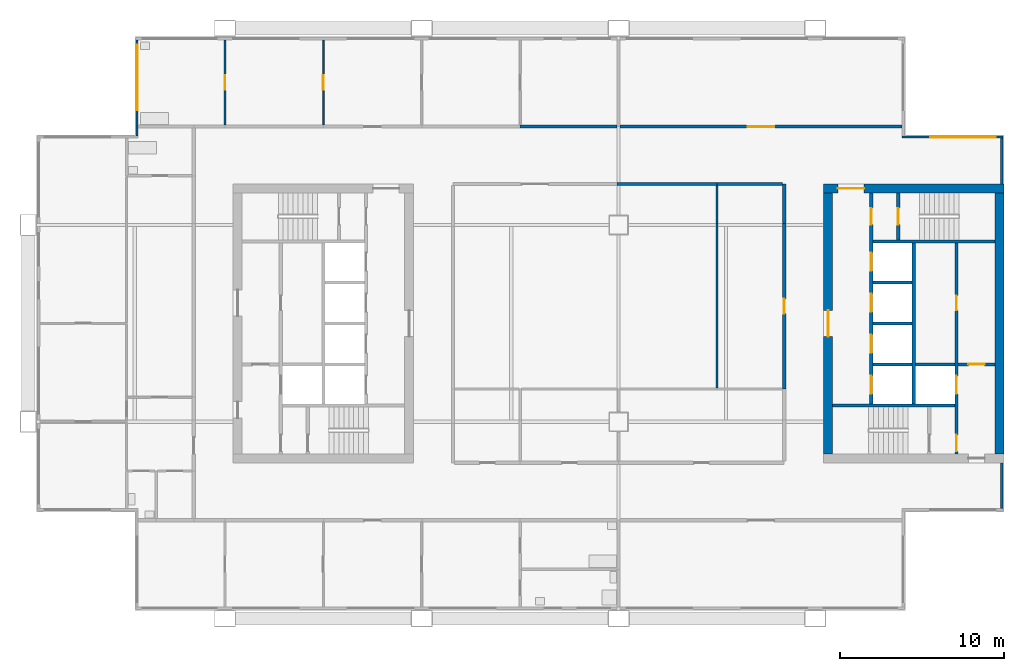
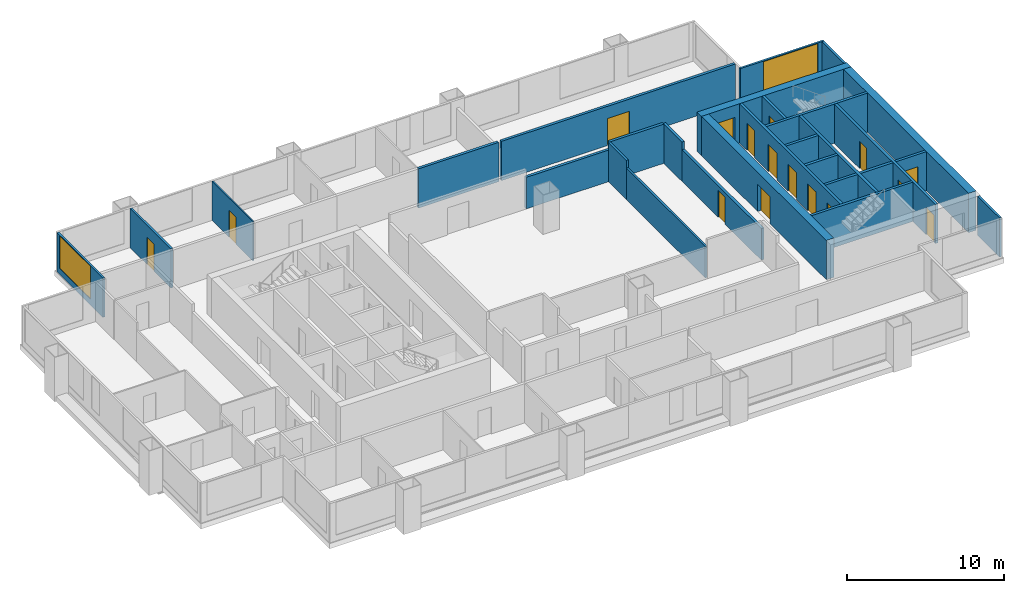
# One storey, part 5 of 8: 28 walls, 16 doors, 2 windows, 18 openings.
"""IFC4 building model written with IfcOpenShell, lengths in metres."""

from ifc_helpers import new_model, si_unit, direction, frame, frame_2d, origin, place, context, subcontext, project, spatial, rectangle, extrude, material, layer, layer_set, type_object, element, fill, save


model = new_model("IFC4")

# Units and contexts
model_context = context("Model", 3, precision=1e-05, world=origin(), true_north=direction((0.0, 1.0)))
body_context = subcontext(model_context, "Body", "Model", "MODEL_VIEW")
ifc_project = project(units=[si_unit("LENGTHUNIT", "METRE"), si_unit("AREAUNIT", "SQUARE_METRE"), si_unit("VOLUMEUNIT", "CUBIC_METRE"), si_unit("PLANEANGLEUNIT", "RADIAN"), si_unit("MASSUNIT", "GRAM", prefix="KILO")], contexts=[model_context])

# Site, building, storey
site_placement = place(None, origin())
site = spatial("IfcSite", under=ifc_project, at=site_placement, CompositionType="ELEMENT")
building_placement = place(site_placement, origin())
building = spatial("IfcBuilding", under=site, at=building_placement, Name="Kitamizu Gate Tower and Museum", CompositionType="ELEMENT")
storey_placement = place(building_placement, frame((0.0, 0.0, 165.14990234375)))
storey = spatial("IfcBuildingStorey", under=building, at=storey_placement, Name="L43", CompositionType="ELEMENT", Elevation=165.14990234375)

# Wall, opening, door
ifc_material_1 = material(Name="Concrete Fc42", Category="concrete")
ifc_layer_1 = layer(ifc_material_1, 0.550048828125)
ifc_layer_set_1 = layer_set([ifc_layer_1], Name="Concrete Fc42")
wall_type_1 = type_object("IfcWallType", Name="Core wall 550", PredefinedType="SHEAR", material=ifc_layer_set_1)
wall_1_placement = place(storey_placement, frame((59.5, 38.22509765625, 0.0), z_axis=(0.0, 0.0, 1.0), x_axis=(-1.0, 0.0, 0.0)))
wall_1 = element("IfcWall", 1, at=wall_1_placement, inside=storey, type_object=wall_type_1, Name="Core wall EN", PredefinedType="SHEAR", context=body_context, shape_type="SweptSolid", body=[
    extrude(rectangle(XDim=11.0, YDim=0.550048828125, at=frame_2d((5.5, 0.0))), origin(), (0.0, 0.0, 1.0), 3.050048828125),
])
opening_1_placement = place(wall_1_placement, frame((8.52490234375, 0.0, 0.0)))
opening_1 = element("IfcOpeningElement", 2, at=opening_1_placement, cuts=wall_1, Name="Opening L43-043", PredefinedType="OPENING", context=body_context, shape_type="SweptSolid", body=[
    extrude(rectangle(XDim=1.60009765625, YDim=2.10009765625, at=frame_2d((0.800048828125, 1.050048828125))), frame((0.0, 0.28515625, 0.0), z_axis=(0.0, -1.0, 0.0), x_axis=(1.0, 0.0, 0.0)), (0.0, 0.0, 1.0), 0.570068359375),
])
ifc_material_2 = material(Name="Timber door set", Category="wood")
door_type_1 = type_object("IfcDoorType", Name="Entrance door 1600", OperationType="DOUBLE_DOOR_SINGLE_SWING", PredefinedType="DOOR", material=ifc_material_2)
door_1_placement = place(opening_1_placement, origin())
door_1 = element("IfcDoor", 3, at=door_1_placement, inside=storey, type_object=door_type_1, Name="Lobby door L43-043", OperationType="DOUBLE_DOOR_SINGLE_SWING", OverallHeight=2.10009765625, OverallWidth=1.60009765625, PredefinedType="DOOR", context=body_context, shape_type="SweptSolid", body=[
    extrude(rectangle(XDim=1.60009765625, YDim=2.10009765625, at=frame_2d((0.800048828125, 1.050048828125))), frame((0.0, 0.02490234375, 0.0), z_axis=(0.0, -1.0, 0.0), x_axis=(1.0, 0.0, 0.0)), (0.0, 0.0, 1.0), 0.050048828125),
])
fill(opening_1, door_1)

# Wall
wall_2_placement = place(storey_placement, frame((59.22509765625, 22.050048828125, 0.0), z_axis=(0.0, 0.0, 1.0), x_axis=(0.0, 1.0, 0.0)))
element("IfcWall", 4, at=wall_2_placement, inside=storey, type_object=wall_type_1, Name="Core wall EOUT", PredefinedType="SHEAR", context=body_context, shape_type="SweptSolid", body=[
    extrude(rectangle(XDim=15.89990234375, YDim=0.550048828125, at=frame_2d((7.949951171875, 0.0))), origin(), (0.0, 0.0, 1.0), 3.050048828125),
])

# Wall, opening, door
wall_3_placement = place(storey_placement, frame((48.77490234375, 22.050048828125, 0.0), z_axis=(0.0, 0.0, 1.0), x_axis=(0.0, 1.0, 0.0)))
wall_3 = element("IfcWall", 5, at=wall_3_placement, inside=storey, type_object=wall_type_1, Name="Core wall EARC", PredefinedType="SHEAR", context=body_context, shape_type="SweptSolid", body=[
    extrude(rectangle(XDim=15.89990234375, YDim=0.550048828125, at=frame_2d((7.949951171875, 0.0))), origin(), (0.0, 0.0, 1.0), 3.050048828125),
])
opening_2_placement = place(wall_3_placement, frame((7.14990234375, 0.0, 0.0)))
opening_2 = element("IfcOpeningElement", 6, at=opening_2_placement, cuts=wall_3, Name="Opening L43-044", PredefinedType="OPENING", context=body_context, shape_type="SweptSolid", body=[
    extrude(rectangle(XDim=1.60009765625, YDim=2.10009765625, at=frame_2d((0.800048828125, 1.050048828125))), frame((0.0, 0.28515625, 0.0), z_axis=(0.0, -1.0, 0.0), x_axis=(1.0, 0.0, 0.0)), (0.0, 0.0, 1.0), 0.570068359375),
])
door_2_placement = place(opening_2_placement, origin())
door_2 = element("IfcDoor", 7, at=door_2_placement, inside=storey, type_object=door_type_1, Name="Lobby door L43-044", OperationType="DOUBLE_DOOR_SINGLE_SWING", OverallHeight=2.10009765625, OverallWidth=1.60009765625, PredefinedType="DOOR", context=body_context, shape_type="SweptSolid", body=[
    extrude(rectangle(XDim=1.60009765625, YDim=2.10009765625, at=frame_2d((0.800048828125, 1.050048828125))), frame((0.0, 0.02490234375, 0.0), z_axis=(0.0, -1.0, 0.0), x_axis=(1.0, 0.0, 0.0)), (0.0, 0.0, 1.0), 0.050048828125),
])
fill(opening_2, door_2)

ifc_material_3 = material(Name="Gypsum board on galvanised stud")
ifc_layer_2 = layer(ifc_material_3, 0.10009765625)
ifc_layer_set_2 = layer_set([ifc_layer_2], Name="Gypsum board on galvanised stud")
wall_type_2 = type_object("IfcWallType", Name="Partition 100 NOT RATED", PredefinedType="PARTITIONING", material=ifc_layer_set_2)
wall_4_placement = place(storey_placement, frame((18.0, 42.10009765625, 0.0), z_axis=(0.0, 0.0, 1.0), x_axis=(0.0, 1.0, 0.0)))
wall_4 = element("IfcWall", 8, at=wall_4_placement, inside=storey, type_object=wall_type_2, Name="Partition L43-019", PredefinedType="PARTITIONING", context=body_context, shape_type="SweptSolid", body=[
    extrude(rectangle(XDim=5.179931640625, YDim=0.10009765625, at=frame_2d((2.58984375, 0.0))), origin(), (0.0, 0.0, 1.0), 3.050048828125),
])
opening_3_placement = place(wall_4_placement, frame((2.139892578125, 0.0, 0.0)))
opening_3 = element("IfcOpeningElement", 9, at=opening_3_placement, cuts=wall_4, Name="Opening L43-008", PredefinedType="OPENING", context=body_context, shape_type="SweptSolid", body=[
    extrude(rectangle(XDim=0.89990234375, YDim=2.10009765625, at=frame_2d((0.449951171875, 1.050048828125))), frame((0.0, 0.06005859375, 0.0), z_axis=(0.0, -1.0, 0.0), x_axis=(1.0, 0.0, 0.0)), (0.0, 0.0, 1.0), 0.1201171875),
])
ifc_material_4 = material(Name="Timber door set", Category="wood")
door_type_2 = type_object("IfcDoorType", Name="Room door 900", OperationType="NOTDEFINED", PredefinedType="DOOR", material=ifc_material_4)
door_3_placement = place(opening_3_placement, origin())
door_3 = element("IfcDoor", 10, at=door_3_placement, inside=storey, type_object=door_type_2, Name="Door L43-008", OperationType="SINGLE_SWING_LEFT", OverallHeight=2.10009765625, OverallWidth=0.89990234375, PredefinedType="DOOR", context=body_context, shape_type="SweptSolid", body=[
    extrude(rectangle(XDim=0.89990234375, YDim=2.10009765625, at=frame_2d((0.449951171875, 1.050048828125))), frame((0.0, 0.02490234375, 0.0), z_axis=(0.0, -1.0, 0.0), x_axis=(1.0, 0.0, 0.0)), (0.0, 0.0, 1.0), 0.050048828125),
])
fill(opening_3, door_3)

ifc_material_5 = material(Name="Gypsum board on galvanised stud")
ifc_layer_3 = layer(ifc_material_5, 0.14990234375)
ifc_layer_set_3 = layer_set([ifc_layer_3], Name="Gypsum board on galvanised stud")
wall_type_3 = type_object("IfcWallType", Name="Partition 150", PredefinedType="PARTITIONING", material=ifc_layer_set_3)
wall_5_placement = place(storey_placement, frame((12.0, 42.10009765625, 0.0), z_axis=(0.0, 0.0, 1.0), x_axis=(0.0, 1.0, 0.0)))
wall_5 = element("IfcWall", 11, at=wall_5_placement, inside=storey, type_object=wall_type_3, Name="Partition L43-016", PredefinedType="PARTITIONING", context=body_context, shape_type="SweptSolid", body=[
    extrude(rectangle(XDim=5.179931640625, YDim=0.14990234375, at=frame_2d((2.58984375, 0.0))), origin(), (0.0, 0.0, 1.0), 3.050048828125),
])
opening_4_placement = place(wall_5_placement, frame((2.139892578125, 0.0, 0.0)))
opening_4 = element("IfcOpeningElement", 12, at=opening_4_placement, cuts=wall_5, Name="Opening L43-009", PredefinedType="OPENING", context=body_context, shape_type="SweptSolid", body=[
    extrude(rectangle(XDim=0.89990234375, YDim=2.10009765625, at=frame_2d((0.449951171875, 1.050048828125))), frame((0.0, 0.0849609375, 0.0), z_axis=(0.0, -1.0, 0.0), x_axis=(1.0, 0.0, 0.0)), (0.0, 0.0, 1.0), 0.169921875),
])
ifc_material_6 = material(Name="Timber door set", Category="wood")
door_type_3 = type_object("IfcDoorType", Name="Bathroom door 900", OperationType="NOTDEFINED", PredefinedType="DOOR", material=ifc_material_6)
door_4_placement = place(opening_4_placement, origin())
door_4 = element("IfcDoor", 13, at=door_4_placement, inside=storey, type_object=door_type_3, Name="Bathroom door L43-009", OperationType="SINGLE_SWING_RIGHT", OverallHeight=2.10009765625, OverallWidth=0.89990234375, PredefinedType="DOOR", context=body_context, shape_type="SweptSolid", body=[
    extrude(rectangle(XDim=0.89990234375, YDim=2.10009765625, at=frame_2d((0.449951171875, 1.050048828125))), frame((0.0, 0.02490234375, 0.0), z_axis=(0.0, -1.0, 0.0), x_axis=(1.0, 0.0, 0.0)), (0.0, 0.0, 1.0), 0.050048828125),
])
fill(opening_4, door_4)

# Walls
wall_6_placement = place(storey_placement, frame((42.0, 26.074951171875, 0.0), z_axis=(0.0, 0.0, 1.0), x_axis=(0.0, 1.0, 0.0)))
element("IfcWall", 14, at=wall_6_placement, inside=storey, type_object=wall_type_3, Name="Partition L43-071", PredefinedType="PARTITIONING", context=body_context, shape_type="SweptSolid", body=[
    extrude(rectangle(XDim=10.025146484375, YDim=0.14990234375, at=frame_2d((5.0126953125, 0.0))), origin(), (0.0, 0.0, 1.0), 2.4501953125),
])
wall_7_placement = place(storey_placement, frame((42.0, 36.10009765625, 0.0), z_axis=(0.0, 0.0, 1.0), x_axis=(0.0, 1.0, 0.0)))
element("IfcWall", 15, at=wall_7_placement, inside=storey, type_object=wall_type_3, Name="Partition L43-072", PredefinedType="PARTITIONING", context=body_context, shape_type="SweptSolid", body=[
    extrude(rectangle(XDim=2.2998046875, YDim=0.14990234375, at=frame_2d((1.14990234375, 0.0))), origin(), (0.0, 0.0, 1.0), 3.050048828125),
])
ifc_material_7 = material(Name="Gypsum board on galvanised stud")
ifc_layer_4 = layer(ifc_material_7, 0.199951171875)
ifc_layer_set_4 = layer_set([ifc_layer_4], Name="Gypsum board on galvanised stud")
wall_type_4 = type_object("IfcWallType", Name="Partition 200", PredefinedType="PARTITIONING", material=ifc_layer_set_4)
wall_8_placement = place(storey_placement, frame((30.0, 42.0, 0.0), z_axis=(0.0, 0.0, 1.0), x_axis=(1.0, 0.0, 0.0)))
element("IfcWall", 16, at=wall_8_placement, inside=storey, type_object=wall_type_4, Name="Partition L43-026", PredefinedType="PARTITIONING", context=body_context, shape_type="SweptSolid", body=[
    extrude(rectangle(XDim=5.89990234375, YDim=0.199951171875, at=frame_2d((2.949951171875, 0.0))), origin(), (0.0, 0.0, 1.0), 3.050048828125),
])

# Wall, opening, door
wall_9_placement = place(storey_placement, frame((36.10009765625, 42.0, 0.0), z_axis=(0.0, 0.0, 1.0), x_axis=(1.0, 0.0, 0.0)))
wall_9 = element("IfcWall", 17, at=wall_9_placement, inside=storey, type_object=wall_type_4, Name="Partition L43-048", PredefinedType="PARTITIONING", context=body_context, shape_type="SweptSolid", body=[
    extrude(rectangle(XDim=17.179931640625, YDim=0.199951171875, at=frame_2d((8.58984375, 0.0))), origin(), (0.0, 0.0, 1.0), 3.050048828125),
])
opening_5_placement = place(wall_9_placement, frame((7.7900390625, 0.0, 0.0)))
opening_5 = element("IfcOpeningElement", 18, at=opening_5_placement, cuts=wall_9, Name="Opening L43-021", PredefinedType="OPENING", context=body_context, shape_type="SweptSolid", body=[
    extrude(rectangle(XDim=1.60009765625, YDim=2.10009765625, at=frame_2d((0.800048828125, 1.050048828125))), frame((0.0, 0.10986328125, 0.0), z_axis=(0.0, -1.0, 0.0), x_axis=(1.0, 0.0, 0.0)), (0.0, 0.0, 1.0), 0.219970703125),
])
ifc_material_8 = material(Name="Timber door set", Category="wood")
door_type_4 = type_object("IfcDoorType", Name="Double door 1600", OperationType="DOUBLE_DOOR_SINGLE_SWING", PredefinedType="DOOR", material=ifc_material_8)
door_5_placement = place(opening_5_placement, origin())
door_5 = element("IfcDoor", 19, at=door_5_placement, inside=storey, type_object=door_type_4, Name="Double door L43-021", OperationType="DOUBLE_DOOR_SINGLE_SWING", OverallHeight=2.10009765625, OverallWidth=1.60009765625, PredefinedType="DOOR", context=body_context, shape_type="SweptSolid", body=[
    extrude(rectangle(XDim=1.60009765625, YDim=2.10009765625, at=frame_2d((0.800048828125, 1.050048828125))), frame((0.0, 0.02490234375, 0.0), z_axis=(0.0, -1.0, 0.0), x_axis=(1.0, 0.0, 0.0)), (0.0, 0.0, 1.0), 0.050048828125),
])
fill(opening_5, door_5)

# Wall
wall_10_placement = place(storey_placement, frame((42.0, 38.5, 0.0), z_axis=(0.0, 0.0, 1.0), x_axis=(-1.0, 0.0, 0.0)))
element("IfcWall", 20, at=wall_10_placement, inside=storey, type_object=wall_type_4, Name="Partition L43-056", PredefinedType="PARTITIONING", context=body_context, shape_type="SweptSolid", body=[
    extrude(rectangle(XDim=6.10009765625, YDim=0.199951171875, at=frame_2d((3.050048828125, 0.0))), origin(), (0.0, 0.0, 1.0), 2.4501953125),
])

# Wall, opening, door
wall_11_placement = place(storey_placement, frame((46.10009765625, 26.0, 0.0), z_axis=(0.0, 0.0, 1.0), x_axis=(0.0, 1.0, 0.0)))
wall_11 = element("IfcWall", 21, at=wall_11_placement, inside=storey, type_object=wall_type_4, Name="Partition L43-060", PredefinedType="PARTITIONING", context=body_context, shape_type="SweptSolid", body=[
    extrude(rectangle(XDim=10.10009765625, YDim=0.199951171875, at=frame_2d((5.050048828125, 0.0))), origin(), (0.0, 0.0, 1.0), 2.4501953125),
])
opening_6_placement = place(wall_11_placement, frame((4.60009765625, 0.0, 0.0)))
opening_6 = element("IfcOpeningElement", 22, at=opening_6_placement, cuts=wall_11, Name="Opening L43-026", PredefinedType="OPENING", context=body_context, shape_type="SweptSolid", body=[
    extrude(rectangle(XDim=0.89990234375, YDim=2.10009765625, at=frame_2d((0.449951171875, 1.050048828125))), frame((0.0, 0.10986328125, 0.0), z_axis=(0.0, -1.0, 0.0), x_axis=(1.0, 0.0, 0.0)), (0.0, 0.0, 1.0), 0.219970703125),
])
door_6_placement = place(opening_6_placement, origin())
door_6 = element("IfcDoor", 23, at=door_6_placement, inside=storey, type_object=door_type_2, Name="Door L43-026", OperationType="SINGLE_SWING_RIGHT", OverallHeight=2.10009765625, OverallWidth=0.89990234375, PredefinedType="DOOR", context=body_context, shape_type="SweptSolid", body=[
    extrude(rectangle(XDim=0.89990234375, YDim=2.10009765625, at=frame_2d((0.449951171875, 1.050048828125))), frame((0.0, 0.02490234375, 0.0), z_axis=(0.0, -1.0, 0.0), x_axis=(1.0, 0.0, 0.0)), (0.0, 0.0, 1.0), 0.050048828125),
])
fill(opening_6, door_6)

# Walls
wall_12_placement = place(storey_placement, frame((46.10009765625, 36.10009765625, 0.0), z_axis=(0.0, 0.0, 1.0), x_axis=(0.0, 1.0, 0.0)))
element("IfcWall", 24, at=wall_12_placement, inside=storey, type_object=wall_type_4, Name="Partition L43-061", PredefinedType="PARTITIONING", context=body_context, shape_type="SweptSolid", body=[
    extrude(rectangle(XDim=2.39990234375, YDim=0.199951171875, at=frame_2d((1.199951171875, 0.0))), origin(), (0.0, 0.0, 1.0), 3.050048828125),
])
wall_13_placement = place(storey_placement, frame((46.0, 38.5, 0.0), z_axis=(0.0, 0.0, 1.0), x_axis=(-1.0, 0.0, 0.0)))
element("IfcWall", 25, at=wall_13_placement, inside=storey, type_object=wall_type_4, Name="Partition L43-062", PredefinedType="PARTITIONING", context=body_context, shape_type="SweptSolid", body=[
    extrude(rectangle(XDim=4.0, YDim=0.199951171875, at=frame_2d((2.0, 0.0))), origin(), (0.0, 0.0, 1.0), 3.050048828125),
])

# Wall, openings, doors
ifc_material_9 = material(Name="Concrete Fc42", Category="concrete")
ifc_layer_5 = layer(ifc_material_9, 0.199951171875)
ifc_layer_set_5 = layer_set([ifc_layer_5], Name="Concrete Fc42")
wall_type_5 = type_object("IfcWallType", Name="Shaft wall 200", PredefinedType="SOLIDWALL", material=ifc_layer_set_5)
wall_14_placement = place(storey_placement, frame((56.60009765625, 22.050048828125, 0.0), z_axis=(0.0, 0.0, 1.0), x_axis=(0.0, 1.0, 0.0)))
wall_14 = element("IfcWall", 26, at=wall_14_placement, inside=storey, type_object=wall_type_5, Name="Shaft wall EWEST", PredefinedType="SOLIDWALL", context=body_context, shape_type="SweptSolid", body=[
    extrude(rectangle(XDim=12.849853515625, YDim=0.199951171875, at=frame_2d((6.4248046875, 0.0))), origin(), (0.0, 0.0, 1.0), 3.050048828125),
])
opening_7_placement = place(wall_14_placement, frame((3.64990234375, 0.0, 0.0)))
opening_7 = element("IfcOpeningElement", 27, at=opening_7_placement, cuts=wall_14, Name="Opening LD", PredefinedType="OPENING", context=body_context, shape_type="SweptSolid", body=[
    extrude(rectangle(XDim=1.10009765625, YDim=2.10009765625, at=frame_2d((0.550048828125, 1.050048828125))), frame((0.0, 0.10986328125, 0.0), z_axis=(0.0, -1.0, 0.0), x_axis=(1.0, 0.0, 0.0)), (0.0, 0.0, 1.0), 0.219970703125),
])
opening_8_placement = place(wall_14_placement, frame((0.14990234375, 0.0, 0.0)))
opening_8 = element("IfcOpeningElement", 28, at=opening_8_placement, cuts=wall_14, Name="Opening L43-038", PredefinedType="OPENING", context=body_context, shape_type="SweptSolid", body=[
    extrude(rectangle(XDim=1.0, YDim=2.10009765625, at=frame_2d((0.5, 1.050048828125))), frame((0.0, 0.10986328125, 0.0), z_axis=(0.0, -1.0, 0.0), x_axis=(1.0, 0.0, 0.0)), (0.0, 0.0, 1.0), 0.219970703125),
])
opening_9_placement = place(wall_14_placement, frame((8.75, 0.0, 0.0)))
opening_9 = element("IfcOpeningElement", 29, at=opening_9_placement, cuts=wall_14, Name="Opening L43-045", PredefinedType="OPENING", context=body_context, shape_type="SweptSolid", body=[
    extrude(rectangle(XDim=0.89990234375, YDim=2.10009765625, at=frame_2d((0.449951171875, 1.050048828125))), frame((0.0, 0.10986328125, 0.0), z_axis=(0.0, -1.0, 0.0), x_axis=(1.0, 0.0, 0.0)), (0.0, 0.0, 1.0), 0.219970703125),
])
ifc_material_10 = material(Name="Hollow metal door set")
door_type_5 = type_object("IfcDoorType", Name="Fire door 1000", OperationType="NOTDEFINED", PredefinedType="DOOR", material=ifc_material_10)
door_7_placement = place(opening_8_placement, origin())
door_7 = element("IfcDoor", 30, at=door_7_placement, inside=storey, type_object=door_type_5, Name="Stair lobby door L43-038", OperationType="SINGLE_SWING_RIGHT", OverallHeight=2.10009765625, OverallWidth=1.0, PredefinedType="DOOR", context=body_context, shape_type="SweptSolid", body=[
    extrude(rectangle(XDim=1.0, YDim=2.10009765625, at=frame_2d((0.5, 1.050048828125))), frame((0.0, 0.02490234375, 0.0), z_axis=(0.0, -1.0, 0.0), x_axis=(1.0, 0.0, 0.0)), (0.0, 0.0, 1.0), 0.050048828125),
])
fill(opening_8, door_7)
ifc_material_11 = material(Name="Hollow metal door set")
door_type_6 = type_object("IfcDoorType", Name="Landing door 1100", OperationType="SLIDING_TO_LEFT", PredefinedType="DOOR", material=ifc_material_11)
door_8_placement = place(opening_7_placement, origin())
door_8 = element("IfcDoor", 31, at=door_8_placement, inside=storey, type_object=door_type_6, Name="Landing door EFF1", OperationType="SLIDING_TO_LEFT", OverallHeight=2.10009765625, OverallWidth=1.10009765625, PredefinedType="DOOR", context=body_context, shape_type="SweptSolid", body=[
    extrude(rectangle(XDim=1.10009765625, YDim=2.10009765625, at=frame_2d((0.550048828125, 1.050048828125))), frame((0.0, 0.02490234375, 0.0), z_axis=(0.0, -1.0, 0.0), x_axis=(1.0, 0.0, 0.0)), (0.0, 0.0, 1.0), 0.050048828125),
])
fill(opening_7, door_8)
ifc_material_12 = material(Name="Timber door set", Category="wood")
door_type_7 = type_object("IfcDoorType", Name="Service door 900", OperationType="NOTDEFINED", PredefinedType="DOOR", material=ifc_material_12)
door_9_placement = place(opening_9_placement, origin())
door_9 = element("IfcDoor", 32, at=door_9_placement, inside=storey, type_object=door_type_7, Name="Service door L43-045", OperationType="SINGLE_SWING_RIGHT", OverallHeight=2.10009765625, OverallWidth=0.89990234375, PredefinedType="DOOR", context=body_context, shape_type="SweptSolid", body=[
    extrude(rectangle(XDim=0.89990234375, YDim=2.10009765625, at=frame_2d((0.449951171875, 1.050048828125))), frame((0.0, 0.02490234375, 0.0), z_axis=(0.0, -1.0, 0.0), x_axis=(1.0, 0.0, 0.0)), (0.0, 0.0, 1.0), 0.050048828125),
])
fill(opening_9, door_9)

wall_15_placement = place(storey_placement, frame((51.39990234375, 25.10009765625, 0.0), z_axis=(0.0, 0.0, 1.0), x_axis=(0.0, 1.0, 0.0)))
wall_15 = element("IfcWall", 33, at=wall_15_placement, inside=storey, type_object=wall_type_5, Name="Shaft wall EEAST", PredefinedType="SOLIDWALL", context=body_context, shape_type="SweptSolid", body=[
    extrude(rectangle(XDim=12.849853515625, YDim=0.199951171875, at=frame_2d((6.4248046875, 0.0))), origin(), (0.0, 0.0, 1.0), 3.050048828125),
])
opening_10_placement = place(wall_15_placement, frame((0.60009765625, 0.0, 0.0)))
opening_10 = element("IfcOpeningElement", 34, at=opening_10_placement, cuts=wall_15, Name="Opening LD", PredefinedType="OPENING", context=body_context, shape_type="SweptSolid", body=[
    extrude(rectangle(XDim=1.10009765625, YDim=2.10009765625, at=frame_2d((0.550048828125, 1.050048828125))), frame((0.0, 0.10986328125, 0.0), z_axis=(0.0, -1.0, 0.0), x_axis=(1.0, 0.0, 0.0)), (0.0, 0.0, 1.0), 0.219970703125),
])
opening_11_placement = place(wall_15_placement, frame((3.10009765625, 0.0, 0.0)))
opening_11 = element("IfcOpeningElement", 35, at=opening_11_placement, cuts=wall_15, Name="Opening LD", PredefinedType="OPENING", context=body_context, shape_type="SweptSolid", body=[
    extrude(rectangle(XDim=1.10009765625, YDim=2.10009765625, at=frame_2d((0.550048828125, 1.050048828125))), frame((0.0, 0.10986328125, 0.0), z_axis=(0.0, -1.0, 0.0), x_axis=(1.0, 0.0, 0.0)), (0.0, 0.0, 1.0), 0.219970703125),
])
opening_12_placement = place(wall_15_placement, frame((5.60009765625, 0.0, 0.0)))
opening_12 = element("IfcOpeningElement", 36, at=opening_12_placement, cuts=wall_15, Name="Opening LD", PredefinedType="OPENING", context=body_context, shape_type="SweptSolid", body=[
    extrude(rectangle(XDim=1.10009765625, YDim=2.10009765625, at=frame_2d((0.550048828125, 1.050048828125))), frame((0.0, 0.10986328125, 0.0), z_axis=(0.0, -1.0, 0.0), x_axis=(1.0, 0.0, 0.0)), (0.0, 0.0, 1.0), 0.219970703125),
])
opening_13_placement = place(wall_15_placement, frame((8.10009765625, 0.0, 0.0)))
opening_13 = element("IfcOpeningElement", 37, at=opening_13_placement, cuts=wall_15, Name="Opening LD", PredefinedType="OPENING", context=body_context, shape_type="SweptSolid", body=[
    extrude(rectangle(XDim=1.10009765625, YDim=2.10009765625, at=frame_2d((0.550048828125, 1.050048828125))), frame((0.0, 0.10986328125, 0.0), z_axis=(0.0, -1.0, 0.0), x_axis=(1.0, 0.0, 0.0)), (0.0, 0.0, 1.0), 0.219970703125),
])
opening_14_placement = place(wall_15_placement, frame((10.925048828125, 0.0, 0.0)))
opening_14 = element("IfcOpeningElement", 38, at=opening_14_placement, cuts=wall_15, Name="Opening L43-039", PredefinedType="OPENING", context=body_context, shape_type="SweptSolid", body=[
    extrude(rectangle(XDim=1.0, YDim=2.10009765625, at=frame_2d((0.5, 1.050048828125))), frame((0.0, 0.10986328125, 0.0), z_axis=(0.0, -1.0, 0.0), x_axis=(1.0, 0.0, 0.0)), (0.0, 0.0, 1.0), 0.219970703125),
])
door_10_placement = place(opening_14_placement, frame((1.0, 0.0, 0.0), x_axis=(-1.0, 0.0, 0.0)))
door_10 = element("IfcDoor", 39, at=door_10_placement, inside=storey, type_object=door_type_5, Name="Stair lobby door L43-039", OperationType="SINGLE_SWING_LEFT", OverallHeight=2.10009765625, OverallWidth=1.0, PredefinedType="DOOR", context=body_context, shape_type="SweptSolid", body=[
    extrude(rectangle(XDim=1.0, YDim=2.10009765625, at=frame_2d((0.5, 1.050048828125))), frame((0.0, 0.02490234375, 0.0), z_axis=(0.0, -1.0, 0.0), x_axis=(1.0, 0.0, 0.0)), (0.0, 0.0, 1.0), 0.050048828125),
])
fill(opening_14, door_10)
door_11_placement = place(opening_10_placement, origin())
door_11 = element("IfcDoor", 40, at=door_11_placement, inside=storey, type_object=door_type_6, Name="Landing door ESV1", OperationType="SLIDING_TO_LEFT", OverallHeight=2.10009765625, OverallWidth=1.10009765625, PredefinedType="DOOR", context=body_context, shape_type="SweptSolid", body=[
    extrude(rectangle(XDim=1.10009765625, YDim=2.10009765625, at=frame_2d((0.550048828125, 1.050048828125))), frame((0.0, 0.02490234375, 0.0), z_axis=(0.0, -1.0, 0.0), x_axis=(1.0, 0.0, 0.0)), (0.0, 0.0, 1.0), 0.050048828125),
])
fill(opening_10, door_11)
door_12_placement = place(opening_11_placement, origin())
door_12 = element("IfcDoor", 41, at=door_12_placement, inside=storey, type_object=door_type_6, Name="Landing door EH1", OperationType="SLIDING_TO_LEFT", OverallHeight=2.10009765625, OverallWidth=1.10009765625, PredefinedType="DOOR", context=body_context, shape_type="SweptSolid", body=[
    extrude(rectangle(XDim=1.10009765625, YDim=2.10009765625, at=frame_2d((0.550048828125, 1.050048828125))), frame((0.0, 0.02490234375, 0.0), z_axis=(0.0, -1.0, 0.0), x_axis=(1.0, 0.0, 0.0)), (0.0, 0.0, 1.0), 0.050048828125),
])
fill(opening_11, door_12)
door_13_placement = place(opening_12_placement, origin())
door_13 = element("IfcDoor", 42, at=door_13_placement, inside=storey, type_object=door_type_6, Name="Landing door EH2", OperationType="SLIDING_TO_LEFT", OverallHeight=2.10009765625, OverallWidth=1.10009765625, PredefinedType="DOOR", context=body_context, shape_type="SweptSolid", body=[
    extrude(rectangle(XDim=1.10009765625, YDim=2.10009765625, at=frame_2d((0.550048828125, 1.050048828125))), frame((0.0, 0.02490234375, 0.0), z_axis=(0.0, -1.0, 0.0), x_axis=(1.0, 0.0, 0.0)), (0.0, 0.0, 1.0), 0.050048828125),
])
fill(opening_12, door_13)
door_14_placement = place(opening_13_placement, origin())
door_14 = element("IfcDoor", 43, at=door_14_placement, inside=storey, type_object=door_type_6, Name="Landing door EH3", OperationType="SLIDING_TO_LEFT", OverallHeight=2.10009765625, OverallWidth=1.10009765625, PredefinedType="DOOR", context=body_context, shape_type="SweptSolid", body=[
    extrude(rectangle(XDim=1.10009765625, YDim=2.10009765625, at=frame_2d((0.550048828125, 1.050048828125))), frame((0.0, 0.02490234375, 0.0), z_axis=(0.0, -1.0, 0.0), x_axis=(1.0, 0.0, 0.0)), (0.0, 0.0, 1.0), 0.050048828125),
])
fill(opening_13, door_14)

# Walls
wall_16_placement = place(storey_placement, frame((54.0, 25.10009765625, 0.0), z_axis=(0.0, 0.0, 1.0), x_axis=(0.0, 1.0, 0.0)))
element("IfcWall", 44, at=wall_16_placement, inside=storey, type_object=wall_type_5, Name="Shaft wall EMID", PredefinedType="SOLIDWALL", context=body_context, shape_type="SweptSolid", body=[
    extrude(rectangle(XDim=9.7998046875, YDim=0.199951171875, at=frame_2d((4.89990234375, 0.0))), origin(), (0.0, 0.0, 1.0), 3.050048828125),
])
for number, where, z_axis, x_axis, name in (
    (45, (56.5, 25.0, 0.0), (0.0, 0.0, 1.0), (-1.0, 0.0, 0.0), "Shaft wall ESB"),
    (46, (58.949951171875, 35.0, 0.0), (0.0, 0.0, 1.0), (-1.0, 0.0, 0.0), "Shaft wall ENB"),
):
    element("IfcWall", number, at=place(storey_placement, frame(where, z_axis=z_axis, x_axis=x_axis)), inside=storey, type_object=wall_type_5, Name=name, PredefinedType="SOLIDWALL", context=body_context, shape_type="SweptSolid", body=[
        extrude(rectangle(XDim=7.449951171875, YDim=0.199951171875, at=frame_2d((3.72509765625, 0.0))), origin(), (0.0, 0.0, 1.0), 3.050048828125),
    ])

# Wall, opening, door
wall_17_placement = place(storey_placement, frame((58.949951171875, 27.5, 0.0), z_axis=(0.0, 0.0, 1.0), x_axis=(-1.0, 0.0, 0.0)))
wall_17 = element("IfcWall", 47, at=wall_17_placement, inside=storey, type_object=wall_type_5, Name="Shaft wall EFFN", PredefinedType="SOLIDWALL", context=body_context, shape_type="SweptSolid", body=[
    extrude(rectangle(XDim=2.25, YDim=0.199951171875, at=frame_2d((1.125, 0.0))), origin(), (0.0, 0.0, 1.0), 3.050048828125),
])
opening_15_placement = place(wall_17_placement, frame((0.625, 0.0, 0.0)))
opening_15 = element("IfcOpeningElement", 48, at=opening_15_placement, cuts=wall_17, Name="Opening L43-041", PredefinedType="OPENING", context=body_context, shape_type="SweptSolid", body=[
    extrude(rectangle(XDim=1.0, YDim=2.10009765625, at=frame_2d((0.5, 1.050048828125))), frame((0.0, 0.10986328125, 0.0), z_axis=(0.0, -1.0, 0.0), x_axis=(1.0, 0.0, 0.0)), (0.0, 0.0, 1.0), 0.219970703125),
])
door_15_placement = place(opening_15_placement, origin())
door_15 = element("IfcDoor", 49, at=door_15_placement, inside=storey, type_object=door_type_5, Name="Fire-fighting lobby door L43-041", OperationType="SINGLE_SWING_RIGHT", OverallHeight=2.10009765625, OverallWidth=1.0, PredefinedType="DOOR", context=body_context, shape_type="SweptSolid", body=[
    extrude(rectangle(XDim=1.0, YDim=2.10009765625, at=frame_2d((0.5, 1.050048828125))), frame((0.0, 0.02490234375, 0.0), z_axis=(0.0, -1.0, 0.0), x_axis=(1.0, 0.0, 0.0)), (0.0, 0.0, 1.0), 0.050048828125),
])
fill(opening_15, door_15)

wall_18_placement = place(storey_placement, frame((53.050048828125, 35.10009765625, 0.0), z_axis=(0.0, 0.0, 1.0), x_axis=(0.0, 1.0, 0.0)))
wall_18 = element("IfcWall", 50, at=wall_18_placement, inside=storey, type_object=wall_type_5, Name="Shaft wall ENZ", PredefinedType="SOLIDWALL", context=body_context, shape_type="SweptSolid", body=[
    extrude(rectangle(XDim=2.849853515625, YDim=0.199951171875, at=frame_2d((1.4248046875, 0.0))), origin(), (0.0, 0.0, 1.0), 3.050048828125),
])
opening_16_placement = place(wall_18_placement, frame((0.925048828125, 0.0, 0.0)))
opening_16 = element("IfcOpeningElement", 51, at=opening_16_placement, cuts=wall_18, Name="Opening L43-040", PredefinedType="OPENING", context=body_context, shape_type="SweptSolid", body=[
    extrude(rectangle(XDim=1.0, YDim=2.10009765625, at=frame_2d((0.5, 1.050048828125))), frame((0.0, 0.10986328125, 0.0), z_axis=(0.0, -1.0, 0.0), x_axis=(1.0, 0.0, 0.0)), (0.0, 0.0, 1.0), 0.219970703125),
])
door_16_placement = place(opening_16_placement, frame((1.0, 0.0, 0.0), x_axis=(-1.0, 0.0, 0.0)))
door_16 = element("IfcDoor", 52, at=door_16_placement, inside=storey, type_object=door_type_5, Name="Stair door L43-040", OperationType="SINGLE_SWING_RIGHT", OverallHeight=2.10009765625, OverallWidth=1.0, PredefinedType="DOOR", context=body_context, shape_type="SweptSolid", body=[
    extrude(rectangle(XDim=1.0, YDim=2.10009765625, at=frame_2d((0.5, 1.050048828125))), frame((0.0, 0.02490234375, 0.0), z_axis=(0.0, -1.0, 0.0), x_axis=(1.0, 0.0, 0.0)), (0.0, 0.0, 1.0), 0.050048828125),
])
fill(opening_16, door_16)

# Walls
for number, where, z_axis, x_axis, name in (
    (53, (56.5, 27.5, 0.0), (0.0, 0.0, 1.0), (-1.0, 0.0, 0.0), "Shaft wall EDVW0"),
    (54, (53.89990234375, 27.5, 0.0), (0.0, 0.0, 1.0), (-1.0, 0.0, 0.0), "Shaft wall EDVE0"),
    (55, (53.89990234375, 30.0, 0.0), (0.0, 0.0, 1.0), (-1.0, 0.0, 0.0), "Shaft wall EDVE1"),
    (56, (53.89990234375, 32.5, 0.0), (0.0, 0.0, 1.0), (-1.0, 0.0, 0.0), "Shaft wall EDVE2"),
):
    element("IfcWall", number, at=place(storey_placement, frame(where, z_axis=z_axis, x_axis=x_axis)), inside=storey, type_object=wall_type_5, Name=name, PredefinedType="SOLIDWALL", context=body_context, shape_type="SweptSolid", body=[
        extrude(rectangle(XDim=2.39990234375, YDim=0.199951171875, at=frame_2d((1.199951171875, 0.0))), origin(), (0.0, 0.0, 1.0), 3.050048828125),
    ])
ifc_material_13 = material(Name="Bronze anodised aluminium frame with insulated spandrel and tinted glass", Category="aluminium")
ifc_layer_6 = layer(ifc_material_13, 0.14990234375)
ifc_layer_set_6 = layer_set([ifc_layer_6], Name="Bronze anodised aluminium frame with insulated spandrel and tinted glass")
wall_type_6 = type_object("IfcWallType", Name="WINDOW WALL 150 BRONZE FRAME EI 30", PredefinedType="ELEMENTEDWALL", material=ifc_layer_set_6)
for number, where, z_axis, x_axis, name in (
    (57, (59.364990234375, 18.7099609375, 0.0), (0.0, 0.0, 1.0), (0.0, 1.0, 0.0), "Window wall east L43"),
    (58, (59.364990234375, 38.5, 0.0), (0.0, 0.0, 1.0), (0.0, 1.0, 0.0), "Window wall east L43"),
):
    element("IfcWall", number, at=place(storey_placement, frame(where, z_axis=z_axis, x_axis=x_axis)), inside=storey, type_object=wall_type_6, Name=name, PredefinedType="ELEMENTEDWALL", context=body_context, shape_type="SweptSolid", body=[
        extrude(rectangle(XDim=2.7900390625, YDim=0.14990234375, at=frame_2d((1.39501953125, 0.0))), origin(), (0.0, 0.0, 1.0), 3.050048828125),
    ])

# Wall, opening, window
wall_19_placement = place(storey_placement, frame((53.2900390625, 41.364990234375, 0.0), z_axis=(0.0, 0.0, 1.0), x_axis=(1.0, 0.0, 0.0)))
wall_19 = element("IfcWall", 59, at=wall_19_placement, inside=storey, type_object=wall_type_6, Name="Window wall north L43", PredefinedType="ELEMENTEDWALL", context=body_context, shape_type="SweptSolid", body=[
    extrude(rectangle(XDim=6.14990234375, YDim=0.14990234375, at=frame_2d((3.074951171875, 0.0))), origin(), (0.0, 0.0, 1.0), 3.050048828125),
])
opening_17_placement = place(wall_19_placement, frame((1.7099609375, 0.0, 0.449951171875)))
opening_17 = element("IfcOpeningElement", 60, at=opening_17_placement, cuts=wall_19, Name="Opening W16", PredefinedType="OPENING", context=body_context, shape_type="SweptSolid", body=[
    extrude(rectangle(XDim=4.0, YDim=2.550048828125, at=frame_2d((2.0, 1.27490234375))), frame((0.0, 0.0849609375, 0.0), z_axis=(0.0, -1.0, 0.0), x_axis=(1.0, 0.0, 0.0)), (0.0, 0.0, 1.0), 0.169921875),
])
ifc_material_14 = material(Name="Bronze anodised aluminium frame, tinted triple glazing", Category="aluminium")
window_type = type_object("IfcWindowType", Name="WINDOW 4000 x 2550 SILL 450", PartitioningType="SINGLE_PANEL", PredefinedType="WINDOW", material=ifc_material_14)
window_1_placement = place(opening_17_placement, origin())
window_1 = element("IfcWindow", 61, at=window_1_placement, inside=storey, type_object=window_type, Name="Window W16 L43", OverallHeight=2.550048828125, OverallWidth=4.0, PartitioningType="SINGLE_PANEL", PredefinedType="WINDOW", context=body_context, shape_type="SweptSolid", body=[
    extrude(rectangle(XDim=4.0, YDim=2.550048828125, at=frame_2d((2.0, 1.27490234375))), frame((0.0, 0.030029296875, 0.0), z_axis=(0.0, -1.0, 0.0), x_axis=(1.0, 0.0, 0.0)), (0.0, 0.0, 1.0), 0.06005859375),
])
fill(opening_17, window_1)

wall_20_placement = place(storey_placement, frame((6.635009765625, 41.43994140625, 0.0), z_axis=(0.0, 0.0, 1.0), x_axis=(0.0, 1.0, 0.0)))
wall_20 = element("IfcWall", 62, at=wall_20_placement, inside=storey, type_object=wall_type_6, Name="Window wall west L43", PredefinedType="ELEMENTEDWALL", context=body_context, shape_type="SweptSolid", body=[
    extrude(rectangle(XDim=5.85009765625, YDim=0.14990234375, at=frame_2d((2.925048828125, 0.0))), origin(), (0.0, 0.0, 1.0), 3.050048828125),
])
opening_18_placement = place(wall_20_placement, frame((1.56005859375, 0.0, 0.449951171875)))
opening_18 = element("IfcOpeningElement", 63, at=opening_18_placement, cuts=wall_20, Name="Opening W16", PredefinedType="OPENING", context=body_context, shape_type="SweptSolid", body=[
    extrude(rectangle(XDim=4.0, YDim=2.550048828125, at=frame_2d((2.0, 1.27490234375))), frame((0.0, 0.0849609375, 0.0), z_axis=(0.0, -1.0, 0.0), x_axis=(1.0, 0.0, 0.0)), (0.0, 0.0, 1.0), 0.169921875),
])
window_2_placement = place(opening_18_placement, origin())
window_2 = element("IfcWindow", 64, at=window_2_placement, inside=storey, type_object=window_type, Name="Window W16 L43", OverallHeight=2.550048828125, OverallWidth=4.0, PartitioningType="SINGLE_PANEL", PredefinedType="WINDOW", context=body_context, shape_type="SweptSolid", body=[
    extrude(rectangle(XDim=4.0, YDim=2.550048828125, at=frame_2d((2.0, 1.27490234375))), frame((0.0, 0.030029296875, 0.0), z_axis=(0.0, -1.0, 0.0), x_axis=(1.0, 0.0, 0.0)), (0.0, 0.0, 1.0), 0.06005859375),
])
fill(opening_18, window_2)

save(model, "model.ifc")
